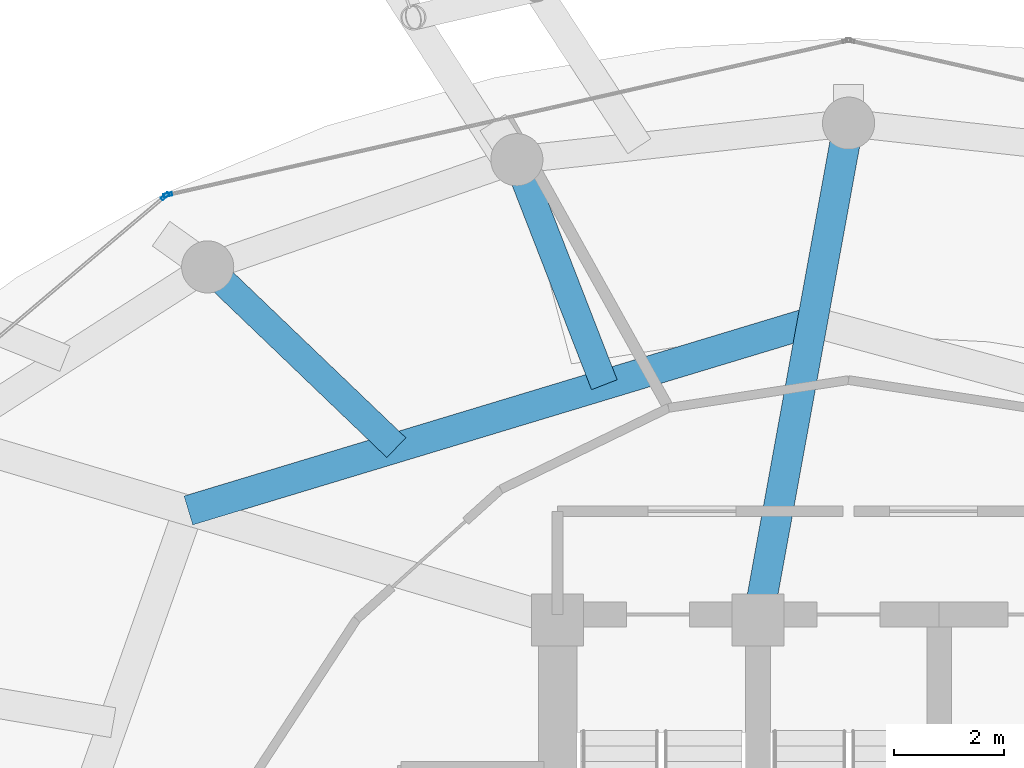
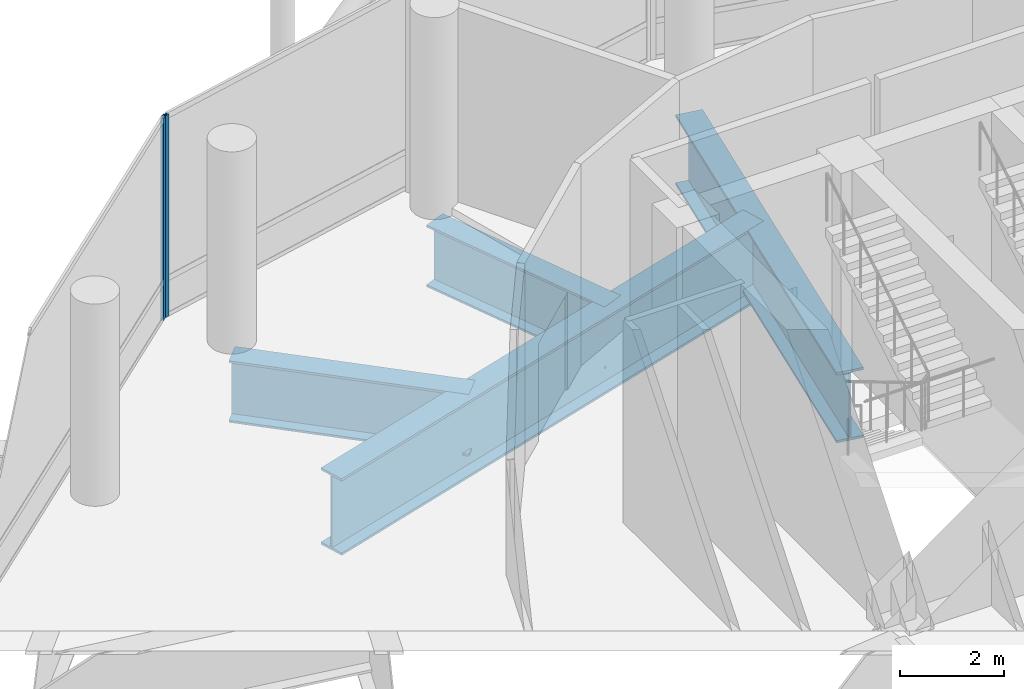
# One storey, part 15 of 29: 4 beams, 2 members, 2 elements without a shape of their own.
"""IFC4 building model written with IfcOpenShell, lengths in metres."""

from ifc_helpers import new_model, si_unit, direction, frame, origin, origin_2d, place, context, subcontext, project, spatial, hollow_rectangle, i_section, extrude, material, layer, layer_set, material_profile, profile_set, type_object, element, aggregate, save


model = new_model("IFC4")

# Units and contexts
model_context = context("Model", 3, precision=1e-05, world=origin(), true_north=direction((0.0, 1.0)))
body_context = subcontext(model_context, "Body", "Model", "MODEL_VIEW")
ifc_project = project(units=[si_unit("LENGTHUNIT", "METRE"), si_unit("AREAUNIT", "SQUARE_METRE"), si_unit("VOLUMEUNIT", "CUBIC_METRE"), si_unit("PLANEANGLEUNIT", "RADIAN"), si_unit("MASSUNIT", "GRAM", prefix="KILO")], contexts=[model_context])

# Site, building, storey
site_placement = place(None, origin())
site = spatial("IfcSite", under=ifc_project, at=site_placement, CompositionType="ELEMENT")
building_placement = place(site_placement, origin())
building = spatial("IfcBuilding", under=site, at=building_placement, Name="Nuhasar Tower", CompositionType="ELEMENT")
storey_placement = place(building_placement, frame((0.0, 0.0, 113.25)))
storey = spatial("IfcBuildingStorey", under=building, at=storey_placement, Name="L26", CompositionType="ELEMENT", Elevation=113.25)

# Beams
ifc_material_1 = material(Name="Steel S460", Category="steel")
ifc_material_profile_1 = material_profile(ifc_material_1, i_section(OverallWidth=0.5, OverallDepth=1.449951171875, WebThickness=0.028076171875, FlangeThickness=0.050048828125, at=origin_2d()), Name="PG1450X500")
ifc_profile_set_1 = profile_set([ifc_material_profile_1], Name="Steel S460")
beam_type_1 = type_object("IfcBeamType", Name="BM-XFER-PG1450", PredefinedType="USERDEFINED", material=ifc_profile_set_1)
beam_1_placement = place(storey_placement, frame((34.551025390625, 41.5849609375, -1.044921875), z_axis=(-0.362424830923, 0.932013005237, 0.0), x_axis=(-0.932013005237, -0.362424830923, 0.0)))
element("IfcBeam", 1, at=beam_1_placement, inside=storey, type_object=beam_type_1, Name="L26 Inner Column Transfer Girder 08", ObjectType="GIRDER", PredefinedType="USERDEFINED", context=body_context, shape_type="SweptSolid", body=[
    extrude(i_section(OverallWidth=0.5, OverallDepth=1.449951171875, WebThickness=0.028076171875, FlangeThickness=0.050048828125, at=origin_2d()), origin(), (0.0, 0.0, 1.0), 4.398193359375),
])
beam_2_placement = place(storey_placement, frame((30.761962890625, 40.43896484375, -1.044921875), z_axis=(-0.72217823712, 0.691707014443, 0.0), x_axis=(-0.691707014443, -0.72217823712, 0.0)))
element("IfcBeam", 2, at=beam_2_placement, inside=storey, type_object=beam_type_1, Name="L26 Inner Column Transfer Girder 09", ObjectType="GIRDER", PredefinedType="USERDEFINED", context=body_context, shape_type="SweptSolid", body=[
    extrude(i_section(OverallWidth=0.5, OverallDepth=1.449951171875, WebThickness=0.028076171875, FlangeThickness=0.050048828125, at=origin_2d()), origin(), (0.0, 0.0, 1.0), 4.75927734375),
])
ifc_material_profile_2 = material_profile(ifc_material_1, i_section(OverallWidth=0.550048828125, OverallDepth=1.64990234375, WebThickness=0.031982421875, FlangeThickness=0.054931640625, at=origin_2d()), Name="PG1650X550")
ifc_profile_set_2 = profile_set([ifc_material_profile_2], Name="Steel S460")
beam_type_2 = type_object("IfcBeamType", Name="BM-XFER-PG1650", PredefinedType="USERDEFINED", material=ifc_profile_set_2)
beam_3_placement = place(storey_placement, frame((37.35009765625, 37.300048828125, -1.14501953125), z_axis=(0.179352509513, 0.983784873502, 0.0), x_axis=(-0.983784873502, 0.179352509513, 0.0)))
element("IfcBeam", 3, at=beam_3_placement, inside=storey, type_object=beam_type_2, Name="L26 Radial Floor Girder 06", ObjectType="GIRDER", PredefinedType="USERDEFINED", context=body_context, shape_type="SweptSolid", body=[
    extrude(i_section(OverallWidth=0.550048828125, OverallDepth=1.64990234375, WebThickness=0.031982421875, FlangeThickness=0.054931640625, at=origin_2d()), origin(), (0.0, 0.0, 1.0), 9.19921875),
])
ifc_material_profile_3 = material_profile(ifc_material_1, i_section(OverallWidth=0.550048828125, OverallDepth=1.800048828125, WebThickness=0.031982421875, FlangeThickness=0.054931640625, at=origin_2d()), Name="PG1800X550")
ifc_profile_set_3 = profile_set([ifc_material_profile_3], Name="Steel S460")
beam_type_3 = type_object("IfcBeamType", Name="BM-XFER-PG1800", PredefinedType="USERDEFINED", material=ifc_profile_set_3)
beam_4_placement = place(storey_placement, frame((38.340087890625, 42.72998046875, -1.219970703125), z_axis=(-0.95722440557, -0.289346569673, 0.0), x_axis=(0.289346569673, -0.95722440557, 0.0)))
element("IfcBeam", 4, at=beam_4_placement, inside=storey, type_object=beam_type_3, Name="L26 Inner Header Beam 06", ObjectType="GIRDER", PredefinedType="USERDEFINED", context=body_context, shape_type="SweptSolid", body=[
    extrude(i_section(OverallWidth=0.550048828125, OverallDepth=1.800048828125, WebThickness=0.031982421875, FlangeThickness=0.054931640625, at=origin_2d()), origin(), (0.0, 0.0, 1.0), 11.875244140625),
])

# Curtain wall, member
ifc_material_2 = material(Name="Aluminium 6063-T6", Category="aluminium")
ifc_layer = layer(ifc_material_2, 0.239990234375)
ifc_layer_set = layer_set([ifc_layer], Name="Aluminium 6063-T6")
curtain_wall_type = type_object("IfcCurtainWallType", Name="CW-SKY-LBY", PredefinedType="NOTDEFINED", material=ifc_layer_set)
curtain_wall_1_placement = place(storey_placement, origin())
curtain_wall_1 = element("IfcCurtainWall", 5, at=curtain_wall_1_placement, inside=storey, type_object=curtain_wall_type, Name="L26 Unitised Curtain Wall 04", PredefinedType="NOTDEFINED")
ifc_material_profile_4 = material_profile(ifc_material_2, hollow_rectangle(XDim=0.06005859375, YDim=0.159912109375, WallThickness=0.0048828125, at=origin_2d()), Name="CWM-6")
ifc_profile_set_4 = profile_set([ifc_material_profile_4], Name="Aluminium 6063-T6")
member_type = type_object("IfcMemberType", Name="CW-MUL-S6", PredefinedType="MULLION", material=ifc_profile_set_4)
member_1_placement = place(storey_placement, frame((26.599365234375, 45.044677734375, 0.0), z_axis=(0.0, 0.0, 1.0), x_axis=(0.22139729566, -0.975183694221, 0.0)))
member_1 = element("IfcMember", 6, at=member_1_placement, type_object=member_type, Name="CW-SL mullion 2", PredefinedType="MULLION", context=body_context, shape_type="SweptSolid", body=[
    extrude(hollow_rectangle(XDim=0.06005859375, YDim=0.159912109375, WallThickness=0.0048828125, at=origin_2d()), origin(), (0.0, 0.0, 1.0), 4.75),
])
aggregate(curtain_wall_1, [member_1])

curtain_wall_2_placement = place(storey_placement, origin())
curtain_wall_2 = element("IfcCurtainWall", 7, at=curtain_wall_2_placement, inside=storey, type_object=curtain_wall_type, Name="L26 Unitised Curtain Wall 05", PredefinedType="NOTDEFINED")
member_2_placement = place(storey_placement, frame((26.547119140625, 45.0185546875, 0.0), z_axis=(0.0, 0.0, 1.0), x_axis=(0.646374438324, -0.763020370292, 0.0)))
member_2 = element("IfcMember", 8, at=member_2_placement, type_object=member_type, Name="CW-SL mullion 1", PredefinedType="MULLION", context=body_context, shape_type="SweptSolid", body=[
    extrude(hollow_rectangle(XDim=0.06005859375, YDim=0.159912109375, WallThickness=0.0048828125, at=origin_2d()), origin(), (0.0, 0.0, 1.0), 4.75),
])
aggregate(curtain_wall_2, [member_2])

save(model, "model.ifc")
